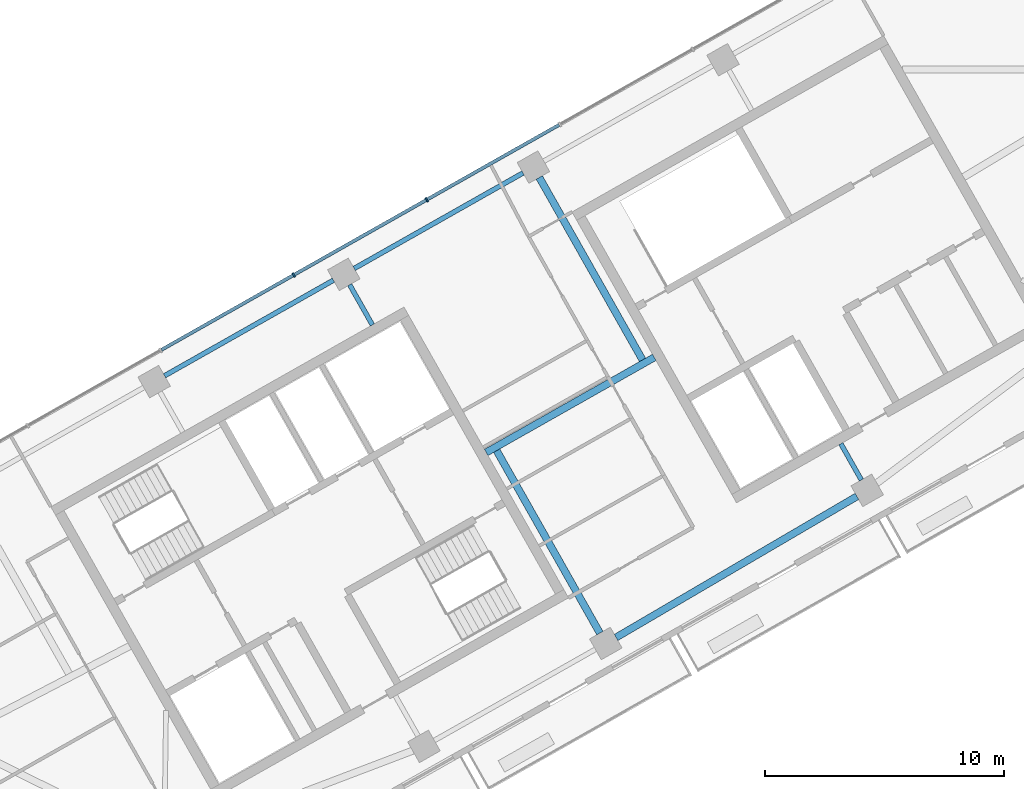
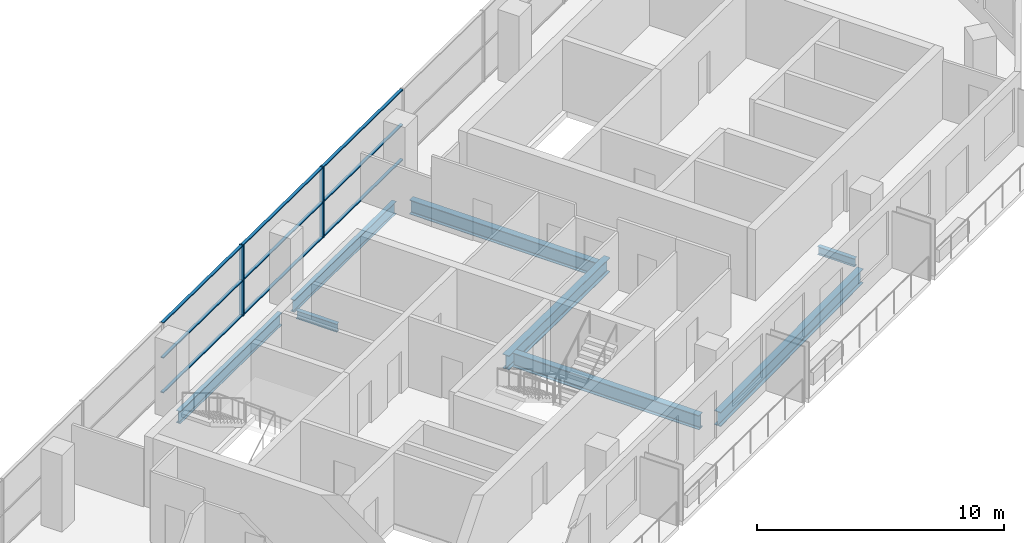
# One storey, part 3 of 10: 11 members, 8 beams, 1 element without a shape of its own.
"""IFC4 building model written with IfcOpenShell, lengths in metres."""

import ifcopenshell
import ifcopenshell.guid

model = None  # the IFC model being written
_history = None  # IfcOwnerHistory: only IFC2X3 demands one
_inside = {}  # id of a spatial element -> (the spatial element, [elements in it])
_under = {}  # id of a project, library or spatial element -> (it, [spatial elements below it])
_declared = {}  # id of a project -> (the project, [libraries it declares])
_typed = {}  # id of a type object -> (the type object, [elements of that type])
_made_of = {}  # id of a material, layer set ... -> (it, [elements and type objects made of it])


def new_model(schema):
    """Start an empty IFC model of exactly this schema.

    Asked for "IFC4X3", IfcOpenShell would pick the latest addendum, in which some entities
    have other attributes; the version numbers below select the first issue.
    IFC2X3 requires an IfcOwnerHistory on every rooted entity: one is made here for all.
    """
    global model, _history
    if schema == "IFC4X3":
        model = ifcopenshell.file(schema_version=(4, 3, 0, 0))
    else:
        model = ifcopenshell.file(schema=schema)
    _inside.clear()
    _under.clear()
    _declared.clear()
    _typed.clear()
    _made_of.clear()
    _history = None
    if model.schema == "IFC2X3":
        org = make("IfcOrganization", Name="unknown")
        user = make(
            "IfcPersonAndOrganization",
            ThePerson=make("IfcPerson", FamilyName="unknown"),
            TheOrganization=org,
        )
        app = make(
            "IfcApplication",
            ApplicationDeveloper=org,
            Version="unknown",
            ApplicationFullName="unknown",
            ApplicationIdentifier="unknown",
        )
        _history = make(
            "IfcOwnerHistory",
            OwningUser=user,
            OwningApplication=app,
            ChangeAction="ADDED",
            CreationDate=0,
        )
    return model


def make(cls, **values):
    """One entity of the class cls with the attributes given. An attribute that is None is left unset."""
    return model.create_entity(
        cls, **{name: value for name, value in values.items() if value is not None}
    )


def rooted(cls, **values):
    """An entity with a GlobalId (a new one), such as an element, a storey or a relation."""
    return make(cls, GlobalId=ifcopenshell.guid.new(), OwnerHistory=_history, **values)


def si_unit(unit_type, name, prefix=None):
    """IfcSIUnit, for example si_unit("LENGTHUNIT", "METRE", prefix="MILLI")."""
    return make("IfcSIUnit", UnitType=unit_type, Prefix=prefix, Name=name)


def assignment(units):
    """IfcUnitAssignment: the units of a project."""
    return None if units is None else make("IfcUnitAssignment", Units=units)


def point(xyz):
    """IfcCartesianPoint."""
    return None if xyz is None else make("IfcCartesianPoint", Coordinates=xyz)


def direction(xyz):
    """IfcDirection."""
    return None if xyz is None else make("IfcDirection", DirectionRatios=xyz)


def frame(location, z_axis=None, x_axis=None):
    """IfcAxis2Placement3D, a coordinate frame: its origin and axes. An axis left out is left unset."""
    return make(
        "IfcAxis2Placement3D",
        Location=point(location),
        Axis=direction(z_axis),
        RefDirection=direction(x_axis),
    )


def frame_2d(location, x_axis=None):
    """IfcAxis2Placement2D, a coordinate frame in the plane: its origin and x axis."""
    return make(
        "IfcAxis2Placement2D", Location=point(location), RefDirection=direction(x_axis)
    )


def origin():
    """The frame at (0, 0, 0) with its axes left unset."""
    return frame((0.0, 0.0, 0.0))


def origin_2d():
    """The frame at (0, 0) in the plane with its x axis left unset."""
    return frame_2d((0.0, 0.0))


def place(relative_to, where):
    """IfcLocalPlacement: puts the frame where relative to a parent placement (None: the world)."""
    return make(
        "IfcLocalPlacement", PlacementRelTo=relative_to, RelativePlacement=where
    )


def context(
    kind, dimensions, precision=None, world=None, true_north=None, identifier=None
):
    """IfcGeometricRepresentationContext, for example the 3D "Model" context."""
    return make(
        "IfcGeometricRepresentationContext",
        ContextIdentifier=identifier,
        ContextType=kind,
        CoordinateSpaceDimension=dimensions,
        Precision=precision,
        WorldCoordinateSystem=world,
        TrueNorth=true_north,
    )


def subcontext(parent, identifier, kind, view, scale=None):
    """IfcGeometricRepresentationSubContext, for example "Body" below "Model"."""
    return make(
        "IfcGeometricRepresentationSubContext",
        ContextIdentifier=identifier,
        ContextType=kind,
        ParentContext=parent,
        TargetScale=scale,
        TargetView=view,
    )


def project(units=None, contexts=None):
    """IfcProject with its units and contexts."""
    return rooted(
        "IfcProject",
        Name="project",
        RepresentationContexts=contexts,
        UnitsInContext=assignment(units),
    )


def spatial(cls, under=None, at=None, **own):
    """A site, building, storey or space (cls), placed at a placement, below another one or the project."""
    s = rooted(cls, ObjectPlacement=at, **own)
    if under is not None:
        _under.setdefault(under.id(), (under, []))[1].append(s)
    return s


def profile(cls, at=None, kind="AREA", **sizes):
    """A parametric profile (cls). Its sizes go by their IFC names, for example OverallWidth=200.0."""
    return make(cls, ProfileType=kind, Position=at, **sizes)


def rectangle(**sizes):
    """IfcRectangleProfileDef."""
    return profile("IfcRectangleProfileDef", **sizes)


def i_section(**sizes):
    """IfcIShapeProfileDef."""
    return profile("IfcIShapeProfileDef", **sizes)


def extrude(swept, where, along, depth):
    """IfcExtrudedAreaSolid: the profile swept, set in the frame where, extruded along a direction by depth."""
    return make(
        "IfcExtrudedAreaSolid",
        SweptArea=swept,
        Position=where,
        ExtrudedDirection=direction(along),
        Depth=depth,
    )


def shape(context_of_items, identifier, shape_type, items):
    """IfcShapeRepresentation: the items that make up one representation, for example the "Body"."""
    return make(
        "IfcShapeRepresentation",
        ContextOfItems=context_of_items,
        RepresentationIdentifier=identifier,
        RepresentationType=shape_type,
        Items=items,
    )


def material(Name=None, Category=None):
    """IfcMaterial."""
    return make("IfcMaterial", Name=Name, Category=Category)


def material_profile(
    of_material, cross_section, Name=None, Category=None, Priority=None
):
    """IfcMaterialProfile: a cross section and its material."""
    return make(
        "IfcMaterialProfile",
        Name=Name,
        Material=of_material,
        Profile=cross_section,
        Priority=Priority,
        Category=Category,
    )


def profile_set(profiles, Name=None, composite=None):
    """IfcMaterialProfileSet."""
    return make(
        "IfcMaterialProfileSet",
        Name=Name,
        MaterialProfiles=profiles,
        CompositeProfile=composite,
    )


def made_of(thing, what):
    """Note that an element or type object is made of a material, layer set ...; save() writes the relation."""
    if what is not None:
        _made_of.setdefault(what.id(), (what, []))[1].append(thing)
    return thing


def type_object(cls, material=None, **own):
    """A type object (cls), such as IfcWallType, which elements share."""
    return made_of(rooted(cls, **own), material)


def element(
    cls,
    number,
    at=None,
    inside=None,
    cuts=None,
    type_object=None,
    material=None,
    context=None,
    identifier="Body",
    shape_type=None,
    held_by="IfcProductDefinitionShape",
    body=None,
    shapes=None,
    **own,
):
    """One element of the class cls, such as IfcWall. Its Tag is "e" and its number.

    at: its placement. inside: the storey or other place that contains it. cuts: it is an
    opening in that element (IfcRelVoidsElement). A single representation is given by context,
    identifier, shape_type and body (its items); several are given by shapes. held_by: the class
    of the entity that holds the representations. save() writes the other relations.
    """
    e = rooted(cls, Tag="e%d" % number, ObjectPlacement=at, **own)
    if body is not None:
        shapes = [shape(context, identifier, shape_type, body)]
    if shapes is not None:
        e.Representation = make(held_by, Representations=shapes)
    if inside is not None:
        _inside.setdefault(inside.id(), (inside, []))[1].append(e)
    if cuts is not None:
        rooted(
            "IfcRelVoidsElement", RelatingBuildingElement=cuts, RelatedOpeningElement=e
        )
    if type_object is not None:
        _typed.setdefault(type_object.id(), (type_object, []))[1].append(e)
    return made_of(e, material)


def aggregate(whole, parts):
    """IfcRelAggregates: a whole, such as a stair, and the parts it consists of."""
    return rooted("IfcRelAggregates", RelatingObject=whole, RelatedObjects=parts)


def save(model, path):
    """Write the relations noted so far, then the file.

    IfcRelAggregates (storeys below a building ...), IfcRelContainedInSpatialStructure (elements
    in a storey), IfcRelDefinesByType, IfcRelAssociatesMaterial and IfcRelDeclares: one each for
    every whole, place, type object, material and project.
    """
    for whole, parts in _under.values():
        aggregate(whole, parts)
    for where, things in _inside.values():
        rooted(
            "IfcRelContainedInSpatialStructure",
            RelatedElements=things,
            RelatingStructure=where,
        )
    for kind, things in _typed.values():
        rooted("IfcRelDefinesByType", RelatedObjects=things, RelatingType=kind)
    for what, things in _made_of.values():
        rooted("IfcRelAssociatesMaterial", RelatedObjects=things, RelatingMaterial=what)
    for by, libraries in _declared.values():
        rooted("IfcRelDeclares", RelatingContext=by, RelatedDefinitions=libraries)
    model.write(path)


model = new_model("IFC4")

# Units and contexts
model_context = context("Model", 3, precision=1e-05, world=origin(), true_north=direction((0.0, 1.0)))
body_context = subcontext(model_context, "Body", "Model", "MODEL_VIEW")
ifc_project = project(units=[si_unit("LENGTHUNIT", "METRE"), si_unit("AREAUNIT", "SQUARE_METRE"), si_unit("VOLUMEUNIT", "CUBIC_METRE"), si_unit("PLANEANGLEUNIT", "RADIAN"), si_unit("MASSUNIT", "GRAM", prefix="KILO")], contexts=[model_context])

# Site, building, storey
site_placement = place(None, origin())
site = spatial("IfcSite", under=ifc_project, at=site_placement, CompositionType="ELEMENT")
building_placement = place(site_placement, origin())
building = spatial("IfcBuilding", under=site, at=building_placement, Name="Binnacle Exchange Tower", CompositionType="ELEMENT")
storey_placement = place(building_placement, frame((0.0, 0.0, 343.10009765625)))
storey = spatial("IfcBuildingStorey", under=building, at=storey_placement, Name="L78", CompositionType="ELEMENT", Elevation=343.10009765625)

# Curtain wall, members
ifc_material_1 = material(Name="Bronze anodised aluminium frame", Category="aluminium")
curtain_wall_type = type_object("IfcCurtainWallType", Name="External wall - curtain wall executive floors", PredefinedType="NOTDEFINED", material=ifc_material_1)
curtain_wall_placement = place(storey_placement, origin())
curtain_wall = element("IfcCurtainWall", 1, at=curtain_wall_placement, inside=storey, type_object=curtain_wall_type, Name="External wall curtain wall CW4-H03 L78", PredefinedType="NOTDEFINED")
ifc_material_profile_1 = material_profile(ifc_material_1, rectangle(XDim=0.199951171875, YDim=0.070068359375, at=origin_2d()), Name="AL 70x200")
ifc_profile_set_1 = profile_set([ifc_material_profile_1], Name="Bronze anodised aluminium frame")
member_type_1 = type_object("IfcMemberType", Name="CW4 MULLION 70x200", PredefinedType="MULLION", material=ifc_profile_set_1)
member_1_placement = place(storey_placement, frame((-30.85791015625, 54.541259765625, 0.0), z_axis=(0.0, 0.0, 1.0), x_axis=(0.492423763019, -0.870355581136, 0.0)))
member_1 = element("IfcMember", 2, at=member_1_placement, type_object=member_type_1, Name="CW4-H03 mullion 6", PredefinedType="MULLION", context=body_context, shape_type="SweptSolid", body=[
    extrude(rectangle(XDim=0.199951171875, YDim=0.070068359375, at=origin_2d()), origin(), (0.0, 0.0, 1.0), 3.5),
])
member_2_placement = place(storey_placement, frame((-36.432861328125, 51.38720703125, 0.0), z_axis=(0.0, 0.0, 1.0), x_axis=(0.492423763019, -0.870355581136, 0.0)))
member_2 = element("IfcMember", 3, at=member_2_placement, type_object=member_type_1, Name="CW4-H03 mullion 7", PredefinedType="MULLION", context=body_context, shape_type="SweptSolid", body=[
    extrude(rectangle(XDim=0.199951171875, YDim=0.070068359375, at=origin_2d()), origin(), (0.0, 0.0, 1.0), 3.5),
])
ifc_material_profile_2 = material_profile(ifc_material_1, rectangle(XDim=0.139892578125, YDim=0.050048828125, at=origin_2d()), Name="AL 140x50")
ifc_profile_set_2 = profile_set([ifc_material_profile_2], Name="Bronze anodised aluminium frame")
member_type_2 = type_object("IfcMemberType", Name="CW4 TRANSOM 50x140", PredefinedType="USERDEFINED", material=ifc_profile_set_2)
member_3_placement = place(storey_placement, frame((-25.3134765625, 57.67822265625, 0.02490234375), z_axis=(-0.870364679821, -0.492407680809, 0.0), x_axis=(0.492407680809, -0.870364679821, 0.0)))
member_3 = element("IfcMember", 4, at=member_3_placement, type_object=member_type_2, Name="CW4-H03 transom 5.1", ObjectType="TRANSOM", PredefinedType="USERDEFINED", context=body_context, shape_type="SweptSolid", body=[
    extrude(rectangle(XDim=0.139892578125, YDim=0.050048828125, at=origin_2d()), origin(), (0.0, 0.0, 1.0), 6.33544921875),
])
member_4_placement = place(storey_placement, frame((-25.3134765625, 57.67822265625, 1.75), z_axis=(-0.870364679821, -0.492407680809, 0.0), x_axis=(0.492407680809, -0.870364679821, 0.0)))
member_4 = element("IfcMember", 5, at=member_4_placement, type_object=member_type_2, Name="CW4-H03 transom 5.2", ObjectType="TRANSOM", PredefinedType="USERDEFINED", context=body_context, shape_type="SweptSolid", body=[
    extrude(rectangle(XDim=0.139892578125, YDim=0.050048828125, at=origin_2d()), origin(), (0.0, 0.0, 1.0), 6.33544921875),
])
member_5_placement = place(storey_placement, frame((-25.3134765625, 57.67822265625, 3.474853515625), z_axis=(-0.870364679821, -0.492407680809, 0.0), x_axis=(0.492407680809, -0.870364679821, 0.0)))
member_5 = element("IfcMember", 6, at=member_5_placement, type_object=member_type_2, Name="CW4-H03 transom 5.3", ObjectType="TRANSOM", PredefinedType="USERDEFINED", context=body_context, shape_type="SweptSolid", body=[
    extrude(rectangle(XDim=0.139892578125, YDim=0.050048828125, at=origin_2d()), origin(), (0.0, 0.0, 1.0), 6.33544921875),
])
member_6_placement = place(storey_placement, frame((-30.888427734375, 54.524169921875, 0.02490234375), z_axis=(-0.870355335808, -0.492424196633, 0.0), x_axis=(0.492424196633, -0.870355335808, 0.0)))
member_6 = element("IfcMember", 7, at=member_6_placement, type_object=member_type_2, Name="CW4-H03 transom 6.1", ObjectType="TRANSOM", PredefinedType="USERDEFINED", context=body_context, shape_type="SweptSolid", body=[
    extrude(rectangle(XDim=0.139892578125, YDim=0.050048828125, at=origin_2d()), origin(), (0.0, 0.0, 1.0), 6.335205078125),
])
member_7_placement = place(storey_placement, frame((-30.888427734375, 54.524169921875, 1.75), z_axis=(-0.870355335808, -0.492424196633, 0.0), x_axis=(0.492424196633, -0.870355335808, 0.0)))
member_7 = element("IfcMember", 8, at=member_7_placement, type_object=member_type_2, Name="CW4-H03 transom 6.2", ObjectType="TRANSOM", PredefinedType="USERDEFINED", context=body_context, shape_type="SweptSolid", body=[
    extrude(rectangle(XDim=0.139892578125, YDim=0.050048828125, at=origin_2d()), origin(), (0.0, 0.0, 1.0), 6.335205078125),
])
member_8_placement = place(storey_placement, frame((-30.888427734375, 54.524169921875, 3.474853515625), z_axis=(-0.870355335808, -0.492424196633, 0.0), x_axis=(0.492424196633, -0.870355335808, 0.0)))
member_8 = element("IfcMember", 9, at=member_8_placement, type_object=member_type_2, Name="CW4-H03 transom 6.3", ObjectType="TRANSOM", PredefinedType="USERDEFINED", context=body_context, shape_type="SweptSolid", body=[
    extrude(rectangle(XDim=0.139892578125, YDim=0.050048828125, at=origin_2d()), origin(), (0.0, 0.0, 1.0), 6.335205078125),
])
member_9_placement = place(storey_placement, frame((-36.46337890625, 51.3701171875, 0.02490234375), z_axis=(-0.870338819343, -0.492453388195, 0.0), x_axis=(0.492453388195, -0.870338819343, 0.0)))
member_9 = element("IfcMember", 10, at=member_9_placement, type_object=member_type_2, Name="CW4-H03 transom 7.1", ObjectType="TRANSOM", PredefinedType="USERDEFINED", context=body_context, shape_type="SweptSolid", body=[
    extrude(rectangle(XDim=0.139892578125, YDim=0.050048828125, at=origin_2d()), origin(), (0.0, 0.0, 1.0), 6.33544921875),
])
member_10_placement = place(storey_placement, frame((-36.46337890625, 51.3701171875, 1.75), z_axis=(-0.870338819343, -0.492453388195, 0.0), x_axis=(0.492453388195, -0.870338819343, 0.0)))
member_10 = element("IfcMember", 11, at=member_10_placement, type_object=member_type_2, Name="CW4-H03 transom 7.2", ObjectType="TRANSOM", PredefinedType="USERDEFINED", context=body_context, shape_type="SweptSolid", body=[
    extrude(rectangle(XDim=0.139892578125, YDim=0.050048828125, at=origin_2d()), origin(), (0.0, 0.0, 1.0), 6.33544921875),
])
member_11_placement = place(storey_placement, frame((-36.46337890625, 51.3701171875, 3.474853515625), z_axis=(-0.870338819343, -0.492453388195, 0.0), x_axis=(0.492453388195, -0.870338819343, 0.0)))
member_11 = element("IfcMember", 12, at=member_11_placement, type_object=member_type_2, Name="CW4-H03 transom 7.3", ObjectType="TRANSOM", PredefinedType="USERDEFINED", context=body_context, shape_type="SweptSolid", body=[
    extrude(rectangle(XDim=0.139892578125, YDim=0.050048828125, at=origin_2d()), origin(), (0.0, 0.0, 1.0), 6.33544921875),
])
aggregate(curtain_wall, [member_1, member_2, member_3, member_4, member_5, member_6, member_7, member_8, member_9, member_10, member_11])

# Beams
ifc_material_2 = material(Name="Steel S355 (SHN355)", Category="steel")
ifc_material_profile_3 = material_profile(ifc_material_2, i_section(OverallWidth=0.201904296875, OverallDepth=0.612060546875, WebThickness=0.012939453125, FlangeThickness=0.02294921875, FilletRadius=0.02197265625, at=origin_2d()), Name="H 612x202x13x23")
ifc_profile_set_3 = profile_set([ifc_material_profile_3], Name="Steel S355 (SHN355)")
beam_type_1 = type_object("IfcBeamType", Name="Edge girder H 612x202x13x23 Steel S355 (SHN355)", PredefinedType="SPANDREL", material=ifc_profile_set_3)
beam_1_placement = place(storey_placement, frame((-34.76904296875, 51.168212890625, -0.586181640625), z_axis=(-0.870345742373, -0.492441152558, 0.0), x_axis=(0.492441152558, -0.870345742373, 0.0)))
element("IfcBeam", 13, at=beam_1_placement, inside=storey, type_object=beam_type_1, Name="S:BM:edge:L78:009", PredefinedType="SPANDREL", context=body_context, shape_type="SweptSolid", body=[
    extrude(i_section(OverallWidth=0.201904296875, OverallDepth=0.612060546875, WebThickness=0.012939453125, FlangeThickness=0.02294921875, FilletRadius=0.02197265625, at=origin_2d()), origin(), (0.0, 0.0, 1.0), 8.129638671875),
])
beam_2_placement = place(storey_placement, frame((-26.82275390625, 55.6640625, -0.586181640625), z_axis=(-0.870353024448, -0.49242828192, 0.0), x_axis=(0.49242828192, -0.870353024448, 0.0)))
element("IfcBeam", 14, at=beam_2_placement, inside=storey, type_object=beam_type_1, Name="S:BM:edge:L78:011", PredefinedType="SPANDREL", context=body_context, shape_type="SweptSolid", body=[
    extrude(i_section(OverallWidth=0.201904296875, OverallDepth=0.612060546875, WebThickness=0.012939453125, FlangeThickness=0.02294921875, FilletRadius=0.02197265625, at=origin_2d()), origin(), (0.0, 0.0, 1.0), 8.1298828125),
])
ifc_material_profile_4 = material_profile(ifc_material_2, i_section(OverallWidth=0.302001953125, OverallDepth=0.7080078125, WebThickness=0.014892578125, FlangeThickness=0.028076171875, FilletRadius=0.028076171875, at=origin_2d()), Name="H 708x302x15x28")
ifc_profile_set_4 = profile_set([ifc_material_profile_4], Name="Steel S355 (SHN355)")
beam_type_2 = type_object("IfcBeamType", Name="Edge girder H 708x302x15x28 Steel S355 (SHN355)", PredefinedType="SPANDREL", material=ifc_profile_set_4)
beam_3_placement = place(storey_placement, frame((-22.924560546875, 36.198974609375, -0.634033203125), z_axis=(0.862883491145, 0.505402889494, 0.0), x_axis=(-0.505402889494, 0.862883491145, 0.0)))
element("IfcBeam", 15, at=beam_3_placement, inside=storey, type_object=beam_type_2, Name="S:BM:edge:L78:012", PredefinedType="SPANDREL", context=body_context, shape_type="SweptSolid", body=[
    extrude(i_section(OverallWidth=0.302001953125, OverallDepth=0.7080078125, WebThickness=0.014892578125, FlangeThickness=0.028076171875, FilletRadius=0.028076171875, at=origin_2d()), origin(), (0.0, 0.0, 1.0), 11.69677734375),
])
ifc_material_profile_5 = material_profile(ifc_material_2, i_section(OverallWidth=0.199951171875, OverallDepth=0.39990234375, WebThickness=0.008056640625, FlangeThickness=0.012939453125, FilletRadius=0.01611328125, at=origin_2d()), Name="H 400x200x8x13")
ifc_profile_set_5 = profile_set([ifc_material_profile_5], Name="Steel S355 (SHN355)")
beam_type_3 = type_object("IfcBeamType", Name="Floor beam H 400x200x8x13 Steel S355 (SHN355)", PredefinedType="BEAM", material=ifc_profile_set_5)
beam_4_placement = place(storey_placement, frame((-34.087646484375, 50.979248046875, -0.47998046875), z_axis=(0.492464757892, -0.870332386065, 0.0), x_axis=(0.870332386065, 0.492464757892, 0.0)))
element("IfcBeam", 16, at=beam_4_placement, inside=storey, type_object=beam_type_3, Name="S:BM:cross:L78:022", PredefinedType="BEAM", context=body_context, shape_type="SweptSolid", body=[
    extrude(i_section(OverallWidth=0.199951171875, OverallDepth=0.39990234375, WebThickness=0.008056640625, FlangeThickness=0.012939453125, FilletRadius=0.01611328125, at=origin_2d()), origin(), (0.0, 0.0, 1.0), 1.934326171875),
])
beam_5_placement = place(storey_placement, frame((-12.646240234375, 42.79833984375, -0.47998046875), z_axis=(-0.492426196623, 0.870354204264, 0.0), x_axis=(-0.870354204264, -0.492426196623, 0.0)))
element("IfcBeam", 17, at=beam_5_placement, inside=storey, type_object=beam_type_3, Name="S:BM:cross:L78:027", PredefinedType="BEAM", context=body_context, shape_type="SweptSolid", body=[
    extrude(i_section(OverallWidth=0.199951171875, OverallDepth=0.39990234375, WebThickness=0.008056640625, FlangeThickness=0.012939453125, FilletRadius=0.01611328125, at=origin_2d()), origin(), (0.0, 0.0, 1.0), 1.744140625),
])
ifc_material_profile_6 = material_profile(ifc_material_2, i_section(OverallWidth=0.302001953125, OverallDepth=0.7080078125, WebThickness=0.014892578125, FlangeThickness=0.028076171875, FilletRadius=0.028076171875, at=origin_2d()), Name="H 708x302x15x28")
ifc_profile_set_6 = profile_set([ifc_material_profile_6], Name="Steel S355 (SHN355)")
beam_type_4 = type_object("IfcBeamType", Name="Floor beam H 708x302x15x28 Steel S355 (SHN355)", PredefinedType="BEAM", material=ifc_profile_set_6)
for number, where, z_axis, x_axis, name in (
    (18, (-26.141357421875, 55.47509765625, -0.634033203125), (0.492407973512, -0.870364514225, 0.0), (0.870364514225, 0.492407973512, 0.0), "S:BM:cross:L78:024"),
    (19, (-23.602294921875, 36.38134765625, -0.634033203125), (-0.492407973512, 0.870364514225, 0.0), (-0.870364514225, -0.492407973512, 0.0), "S:BM:cross:L78:025"),
):
    element("IfcBeam", number, at=place(storey_placement, frame(where, z_axis=z_axis, x_axis=x_axis)), inside=storey, type_object=beam_type_4, Name=name, PredefinedType="BEAM", context=body_context, shape_type="SweptSolid", body=[
        extrude(i_section(OverallWidth=0.302001953125, OverallDepth=0.7080078125, WebThickness=0.014892578125, FlangeThickness=0.028076171875, FilletRadius=0.028076171875, at=origin_2d()), origin(), (0.0, 0.0, 1.0), 8.7841796875),
    ])
ifc_material_profile_7 = material_profile(ifc_material_2, i_section(OverallWidth=0.302001953125, OverallDepth=0.7080078125, WebThickness=0.014892578125, FlangeThickness=0.028076171875, FilletRadius=0.028076171875, at=origin_2d()), Name="H 708x302x15x28")
ifc_profile_set_7 = profile_set([ifc_material_profile_7], Name="Steel S355 (SHN355)")
beam_type_5 = type_object("IfcBeamType", Name="Spine girder H 708x302x15x28 Steel S355 (SHN355)", PredefinedType="BEAM", material=ifc_profile_set_7)
beam_6_placement = place(storey_placement, frame((-28.365478515625, 43.951416015625, -0.634033203125), z_axis=(0.870350319004, 0.492433063684, 0.0), x_axis=(-0.492433063684, 0.870350319004, 0.0)))
element("IfcBeam", 20, at=beam_6_placement, inside=storey, type_object=beam_type_5, Name="S:BM:spine:L78:002", PredefinedType="BEAM", context=body_context, shape_type="SweptSolid", body=[
    extrude(i_section(OverallWidth=0.302001953125, OverallDepth=0.7080078125, WebThickness=0.014892578125, FlangeThickness=0.028076171875, FilletRadius=0.028076171875, at=origin_2d()), origin(), (0.0, 0.0, 1.0), 8.0908203125),
])

save(model, "model.ifc")
